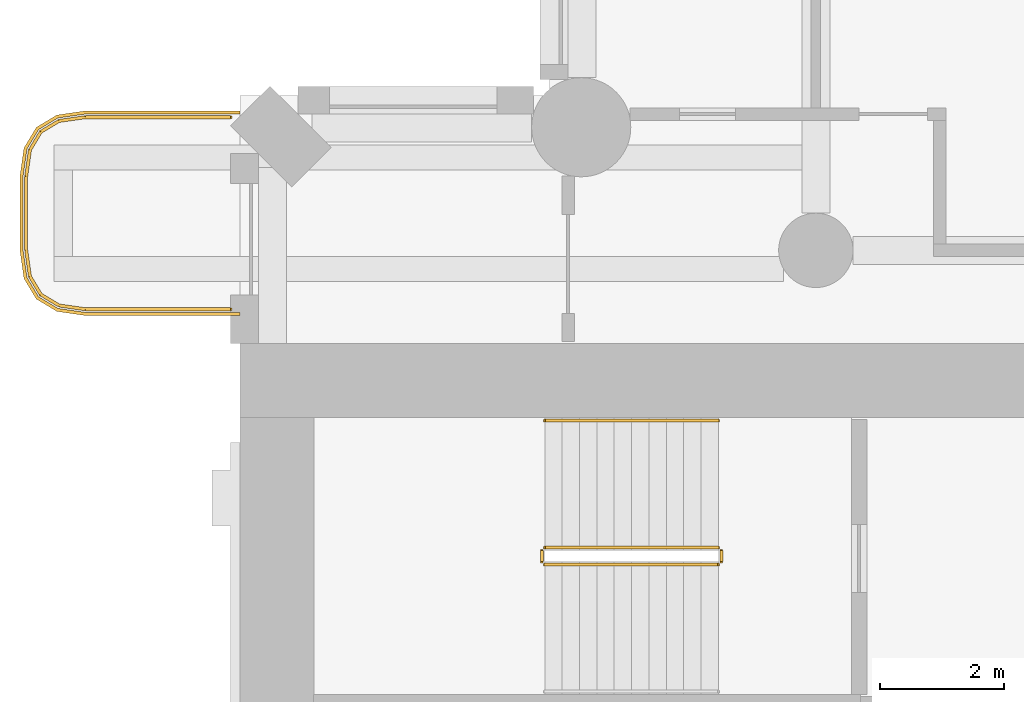
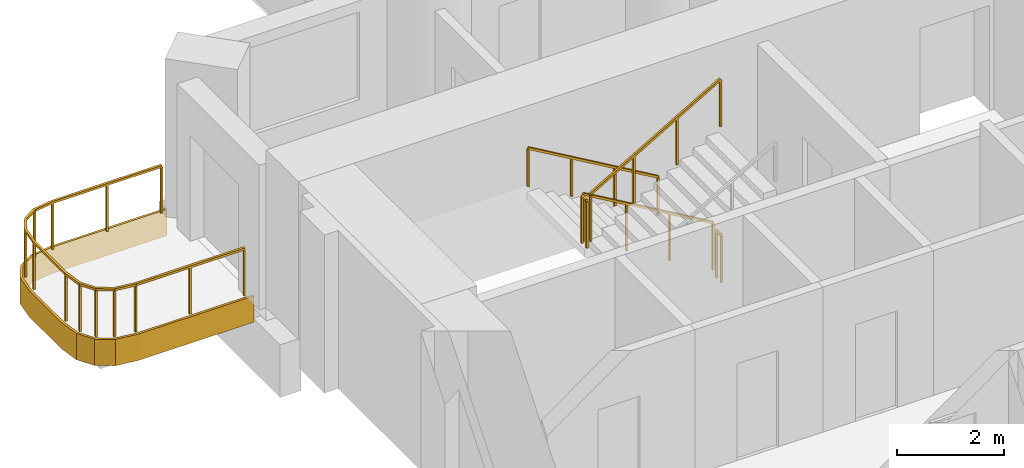
# One storey, part 17 of 20: 6 railings, 1 covering.
"""IFC4 building model written with IfcOpenShell, lengths in metres."""

from ifc_helpers import new_model, si_unit, direction, frame, origin, origin_2d, place, context, subcontext, project, spatial, polyline, rectangle, outline, extrude, material, layer, layer_set, type_object, element, save


model = new_model("IFC4")

# Units and contexts
model_context = context("Model", 3, precision=1e-05, world=origin(), true_north=direction((0.0, 1.0)))
body_context = subcontext(model_context, "Body", "Model", "MODEL_VIEW")
ifc_project = project(units=[si_unit("LENGTHUNIT", "METRE"), si_unit("AREAUNIT", "SQUARE_METRE"), si_unit("VOLUMEUNIT", "CUBIC_METRE"), si_unit("PLANEANGLEUNIT", "RADIAN"), si_unit("MASSUNIT", "GRAM", prefix="KILO")], contexts=[model_context])

# Site, building, storey
site_placement = place(None, origin())
site = spatial("IfcSite", under=ifc_project, at=site_placement, CompositionType="ELEMENT")
building_placement = place(site_placement, origin())
building = spatial("IfcBuilding", under=site, at=building_placement, Name="Cypress Arch Tower", CompositionType="ELEMENT")
storey_placement = place(building_placement, frame((0.0, 0.0, 77.10009765625)))
storey = spatial("IfcBuildingStorey", under=building, at=storey_placement, Name="L13", CompositionType="ELEMENT", Elevation=77.10009765625)

# Covering
ifc_material_1 = material(Name="White powder-coated aluminium fascia", Category="aluminium")
ifc_layer = layer(ifc_material_1, 0.050048828125)
ifc_layer_set = layer_set([ifc_layer], Name="Balcony fascia BF50")
covering_type = type_object("IfcCoveringType", Name="Balcony fascia BF50", PredefinedType="CLADDING", material=ifc_layer_set)
covering_placement = place(storey_placement, frame((0.0, 0.0, -0.60009765625)))
element("IfcCovering", 1, at=covering_placement, inside=storey, type_object=covering_type, Name="Balcony fascia L13-A00W0", PredefinedType="CLADDING", context=body_context, shape_type="SweptSolid", body=[
    extrude(outline(polyline([(-32.503662109375, 16.449951171875), (-32.95458984375, 16.514404296875), (-33.286376953125, 16.713623046875), (-33.485595703125, 17.04541015625), (-33.550048828125, 17.496337890625), (-33.550048828125, 18.70361328125), (-33.485595703125, 19.154541015625), (-33.286376953125, 19.486328125), (-32.95458984375, 19.685546875), (-32.503662109375, 19.75), (-30.0009765625, 19.75), (-30.0009765625, 19.699951171875), (-32.5, 19.699951171875), (-32.9375, 19.637451171875), (-33.25, 19.449951171875), (-33.4375, 19.137451171875), (-33.5, 18.699951171875), (-33.5, 17.5), (-33.4375, 17.0625), (-33.25, 16.75), (-32.9375, 16.5625), (-32.5, 16.5), (-30.0009765625, 16.5), (-30.0009765625, 16.449951171875), (-32.503662109375, 16.449951171875)])), origin(), (0.0, 0.0, 1.0), 0.60009765625),
])

# Railings
ifc_material_2 = material(Name="Powder-coated steel posts and rods, 100 mm clear between rods", Category="steel")
railing_type_1 = type_object("IfcRailingType", Name="Balcony guard GR1100", PredefinedType="GUARDRAIL", material=ifc_material_2)
railing_1_placement = place(storey_placement, frame((-30.14990234375, 16.550048828125, 0.0)))
element("IfcRailing", 2, at=railing_1_placement, inside=storey, type_object=railing_type_1, Name="Balcony guard L13-A00W0", PredefinedType="GUARDRAIL", context=body_context, shape_type="SweptSolid", body=[
    extrude(rectangle(XDim=0.050048828125, YDim=0.050048828125, at=origin_2d()), frame((0.0, 0.0, 1.0751953125), z_axis=(-1.0, 0.0, 0.0), x_axis=(0.0, -1.0, 0.0)), (0.0, 0.0, 1.0), 2.346435546875),
    extrude(rectangle(XDim=0.050048828125, YDim=0.050048828125, at=origin_2d()), frame((-2.346435546875, 0.0, 1.0751953125), z_axis=(-0.989960888959, 0.141341566184, 0.0), x_axis=(-0.141341566184, -0.989960888959, 0.0)), (0.0, 0.0, 1.0), 0.428466796875),
    extrude(rectangle(XDim=0.050048828125, YDim=0.050048828125, at=origin_2d()), frame((-2.7705078125, 0.060546875, 1.0751953125), z_axis=(-0.857681904839, 0.514180659021, 0.0), x_axis=(-0.514180659021, -0.857681904839, 0.0)), (0.0, 0.0, 1.0), 0.341796875),
    extrude(rectangle(XDim=0.050048828125, YDim=0.050048828125, at=origin_2d()), frame((-3.063720703125, 0.236328125, 1.0751953125), z_axis=(-0.514180659021, 0.857681904839, 0.0), x_axis=(-0.857681904839, -0.514180659021, 0.0)), (0.0, 0.0, 1.0), 0.341796875),
    extrude(rectangle(XDim=0.050048828125, YDim=0.050048828125, at=origin_2d()), frame((-3.239501953125, 0.529541015625, 1.0751953125), z_axis=(-0.141341566184, 0.989960888959, 0.0), x_axis=(-0.989960888959, -0.141341566184, 0.0)), (0.0, 0.0, 1.0), 0.428466796875),
    extrude(rectangle(XDim=0.050048828125, YDim=0.050048828125, at=origin_2d()), frame((-3.300048828125, 0.95361328125, 1.0751953125), z_axis=(0.0, 1.0, 0.0), x_axis=(-1.0, 0.0, 0.0)), (0.0, 0.0, 1.0), 1.19287109375),
    extrude(rectangle(XDim=0.050048828125, YDim=0.050048828125, at=origin_2d()), frame((-3.300048828125, 2.146484375, 1.0751953125), z_axis=(0.141421356237, 0.989949493661, 0.0), x_axis=(-0.989949493661, 0.141421356237, 0.0)), (0.0, 0.0, 1.0), 0.42822265625),
    extrude(rectangle(XDim=0.050048828125, YDim=0.050048828125, at=origin_2d()), frame((-3.239501953125, 2.5703125, 1.0751953125), z_axis=(0.514180659021, 0.857681904839, 0.0), x_axis=(-0.857681904839, 0.514180659021, 0.0)), (0.0, 0.0, 1.0), 0.341796875),
    extrude(rectangle(XDim=0.050048828125, YDim=0.050048828125, at=origin_2d()), frame((-3.063720703125, 2.863525390625, 1.0751953125), z_axis=(0.857681904839, 0.514180659021, 0.0), x_axis=(-0.514180659021, 0.857681904839, 0.0)), (0.0, 0.0, 1.0), 0.341796875),
    extrude(rectangle(XDim=0.050048828125, YDim=0.050048828125, at=origin_2d()), frame((-2.7705078125, 3.039306640625, 1.0751953125), z_axis=(0.989960888959, 0.141341566184, 0.0), x_axis=(-0.141341566184, 0.989960888959, 0.0)), (0.0, 0.0, 1.0), 0.428466796875),
    extrude(rectangle(XDim=0.050048828125, YDim=0.050048828125, at=origin_2d()), frame((-2.346435546875, 3.099853515625, 1.0751953125), z_axis=(1.0, 0.0, 0.0), x_axis=(0.0, 1.0, 0.0)), (0.0, 0.0, 1.0), 2.346435546875),
    extrude(rectangle(XDim=0.0400390625, YDim=0.0400390625, at=origin_2d()), origin(), (0.0, 0.0, 1.0), 1.050048828125),
    extrude(rectangle(XDim=0.0400390625, YDim=0.0400390625, at=origin_2d()), frame((-1.17333984375, 0.0, 0.0)), (0.0, 0.0, 1.0), 1.050048828125),
    extrude(rectangle(XDim=0.0400390625, YDim=0.0400390625, at=origin_2d()), frame((-2.346435546875, 0.0, 0.0)), (0.0, 0.0, 1.0), 1.050048828125),
    extrude(rectangle(XDim=0.0400390625, YDim=0.0400390625, at=origin_2d()), frame((-2.7705078125, 0.060546875, 0.0)), (0.0, 0.0, 1.0), 1.050048828125),
    extrude(rectangle(XDim=0.0400390625, YDim=0.0400390625, at=origin_2d()), frame((-3.063720703125, 0.236328125, 0.0)), (0.0, 0.0, 1.0), 1.050048828125),
    extrude(rectangle(XDim=0.0400390625, YDim=0.0400390625, at=origin_2d()), frame((-3.239501953125, 0.529541015625, 0.0)), (0.0, 0.0, 1.0), 1.050048828125),
    extrude(rectangle(XDim=0.0400390625, YDim=0.0400390625, at=origin_2d()), frame((-3.300048828125, 0.95361328125, 0.0)), (0.0, 0.0, 1.0), 1.050048828125),
    extrude(rectangle(XDim=0.0400390625, YDim=0.0400390625, at=origin_2d()), frame((-3.300048828125, 2.146484375, 0.0)), (0.0, 0.0, 1.0), 1.050048828125),
    extrude(rectangle(XDim=0.0400390625, YDim=0.0400390625, at=origin_2d()), frame((-3.239501953125, 2.5703125, 0.0)), (0.0, 0.0, 1.0), 1.050048828125),
    extrude(rectangle(XDim=0.0400390625, YDim=0.0400390625, at=origin_2d()), frame((-3.063720703125, 2.863525390625, 0.0)), (0.0, 0.0, 1.0), 1.050048828125),
    extrude(rectangle(XDim=0.0400390625, YDim=0.0400390625, at=origin_2d()), frame((-2.7705078125, 3.039306640625, 0.0)), (0.0, 0.0, 1.0), 1.050048828125),
    extrude(rectangle(XDim=0.0400390625, YDim=0.0400390625, at=origin_2d()), frame((-2.346435546875, 3.099853515625, 0.0)), (0.0, 0.0, 1.0), 1.050048828125),
    extrude(rectangle(XDim=0.0400390625, YDim=0.0400390625, at=origin_2d()), frame((-1.17333984375, 3.099853515625, 0.0)), (0.0, 0.0, 1.0), 1.050048828125),
    extrude(rectangle(XDim=0.0400390625, YDim=0.0400390625, at=origin_2d()), frame((0.0, 3.099853515625, 0.0)), (0.0, 0.0, 1.0), 1.050048828125),
])
ifc_material_3 = material(Name="Black powder-coated steel square bar 48 mm", Category="steel")
railing_type_2 = type_object("IfcRailingType", Name="Stair handrail HR1", PredefinedType="HANDRAIL", material=ifc_material_3)
railing_2_placement = place(storey_placement, frame((-22.27490234375, 14.75, 0.16357421875)))
element("IfcRailing", 3, at=railing_2_placement, inside=storey, type_object=railing_type_2, Name="L13 B stair handrail 1", PredefinedType="HANDRAIL", context=body_context, shape_type="SweptSolid", body=[
    extrude(rectangle(XDim=0.048095703125, YDim=0.048095703125, at=origin_2d()), frame((0.0, 0.0, 0.8759765625), z_axis=(-0.863393664356, 0.0, 0.504530851732), x_axis=(0.0, -1.0, 0.0)), (0.0, 0.0, 1.0), 3.2431640625),
    extrude(rectangle(XDim=0.0419921875, YDim=0.0419921875, at=origin_2d()), origin(), (0.0, 0.0, 1.0), 0.851806640625),
    extrude(rectangle(XDim=0.0419921875, YDim=0.0419921875, at=origin_2d()), frame((-0.933349609375, 0.0, 0.54541015625)), (0.0, 0.0, 1.0), 0.851806640625),
    extrude(rectangle(XDim=0.0419921875, YDim=0.0419921875, at=origin_2d()), frame((-1.86669921875, 0.0, 1.0908203125)), (0.0, 0.0, 1.0), 0.851806640625),
    extrude(rectangle(XDim=0.0419921875, YDim=0.0419921875, at=origin_2d()), frame((-2.800048828125, 0.0, 1.63623046875)), (0.0, 0.0, 1.0), 0.851806640625),
])
ifc_material_4 = material(Name="Black powder-coated steel balusters", Category="steel")
railing_type_3 = type_object("IfcRailingType", Name="Stair well guard G1", PredefinedType="GUARDRAIL", material=ifc_material_4)
railing_3_placement = place(storey_placement, frame((-22.27490234375, 12.699951171875, 0.16357421875)))
element("IfcRailing", 4, at=railing_3_placement, inside=storey, type_object=railing_type_3, Name="L13 B stair guard 1", PredefinedType="GUARDRAIL", context=body_context, shape_type="SweptSolid", body=[
    extrude(rectangle(XDim=0.048095703125, YDim=0.048095703125, at=origin_2d()), frame((0.0, 0.0, 1.076171875), z_axis=(-0.863393664356, 0.0, 0.504530851732), x_axis=(0.0, -1.0, 0.0)), (0.0, 0.0, 1.0), 3.2431640625),
    extrude(rectangle(XDim=0.0419921875, YDim=0.0419921875, at=origin_2d()), origin(), (0.0, 0.0, 1.0), 1.052001953125),
    extrude(rectangle(XDim=0.0419921875, YDim=0.0419921875, at=origin_2d()), frame((-0.933349609375, 0.0, 0.54541015625)), (0.0, 0.0, 1.0), 1.052001953125),
    extrude(rectangle(XDim=0.0419921875, YDim=0.0419921875, at=origin_2d()), frame((-1.86669921875, 0.0, 1.0908203125)), (0.0, 0.0, 1.0), 1.052001953125),
    extrude(rectangle(XDim=0.0419921875, YDim=0.0419921875, at=origin_2d()), frame((-2.800048828125, 0.0, 1.63623046875)), (0.0, 0.0, 1.0), 1.052001953125),
])
railing_4_placement = place(storey_placement, frame((-25.125, 12.64990234375, 1.7998046875)))
element("IfcRailing", 5, at=railing_4_placement, inside=storey, type_object=railing_type_3, Name="L13 B stair guard 2", PredefinedType="GUARDRAIL", context=body_context, shape_type="SweptSolid", body=[
    extrude(rectangle(XDim=0.048095703125, YDim=0.048095703125, at=origin_2d()), frame((0.0, 0.0, 1.076171875), z_axis=(0.0, -1.0, 0.0), x_axis=(1.0, 0.0, 0.0)), (0.0, 0.0, 1.0), 0.1748046875),
    extrude(rectangle(XDim=0.0419921875, YDim=0.0419921875, at=origin_2d()), origin(), (0.0, 0.0, 1.0), 1.052001953125),
    extrude(rectangle(XDim=0.0419921875, YDim=0.0419921875, at=origin_2d()), frame((0.0, -0.1748046875, 0.0)), (0.0, 0.0, 1.0), 1.052001953125),
])
railing_5_placement = place(storey_placement, frame((-25.074951171875, 12.425048828125, 1.963623046875)))
element("IfcRailing", 6, at=railing_5_placement, inside=storey, type_object=railing_type_3, Name="L13 B stair guard 3", PredefinedType="GUARDRAIL", context=body_context, shape_type="SweptSolid", body=[
    extrude(rectangle(XDim=0.048095703125, YDim=0.048095703125, at=origin_2d()), frame((0.0, 0.0, 1.076171875), z_axis=(0.863393664356, 0.0, 0.504530851732), x_axis=(0.0, 1.0, 0.0)), (0.0, 0.0, 1.0), 3.2431640625),
    extrude(rectangle(XDim=0.0419921875, YDim=0.0419921875, at=origin_2d()), origin(), (0.0, 0.0, 1.0), 1.052001953125),
    extrude(rectangle(XDim=0.0419921875, YDim=0.0419921875, at=origin_2d()), frame((0.933349609375, 0.0, 0.54541015625)), (0.0, 0.0, 1.0), 1.052001953125),
    extrude(rectangle(XDim=0.0419921875, YDim=0.0419921875, at=origin_2d()), frame((1.86669921875, 0.0, 1.0908203125)), (0.0, 0.0, 1.0), 1.052001953125),
    extrude(rectangle(XDim=0.0419921875, YDim=0.0419921875, at=origin_2d()), frame((2.800048828125, 0.0, 1.63623046875)), (0.0, 0.0, 1.0), 1.052001953125),
])
railing_6_placement = place(storey_placement, frame((-22.22509765625, 12.64990234375, 0.0)))
element("IfcRailing", 7, at=railing_6_placement, inside=storey, type_object=railing_type_3, Name="L13 B stair guard 4", PredefinedType="GUARDRAIL", context=body_context, shape_type="SweptSolid", body=[
    extrude(rectangle(XDim=0.048095703125, YDim=0.048095703125, at=origin_2d()), frame((0.0, 0.0, 1.076171875), z_axis=(0.0, -1.0, 0.0), x_axis=(1.0, 0.0, 0.0)), (0.0, 0.0, 1.0), 0.1748046875),
    extrude(rectangle(XDim=0.0419921875, YDim=0.0419921875, at=origin_2d()), origin(), (0.0, 0.0, 1.0), 1.052001953125),
    extrude(rectangle(XDim=0.0419921875, YDim=0.0419921875, at=origin_2d()), frame((0.0, -0.1748046875, 0.0)), (0.0, 0.0, 1.0), 1.052001953125),
])

save(model, "model.ifc")
